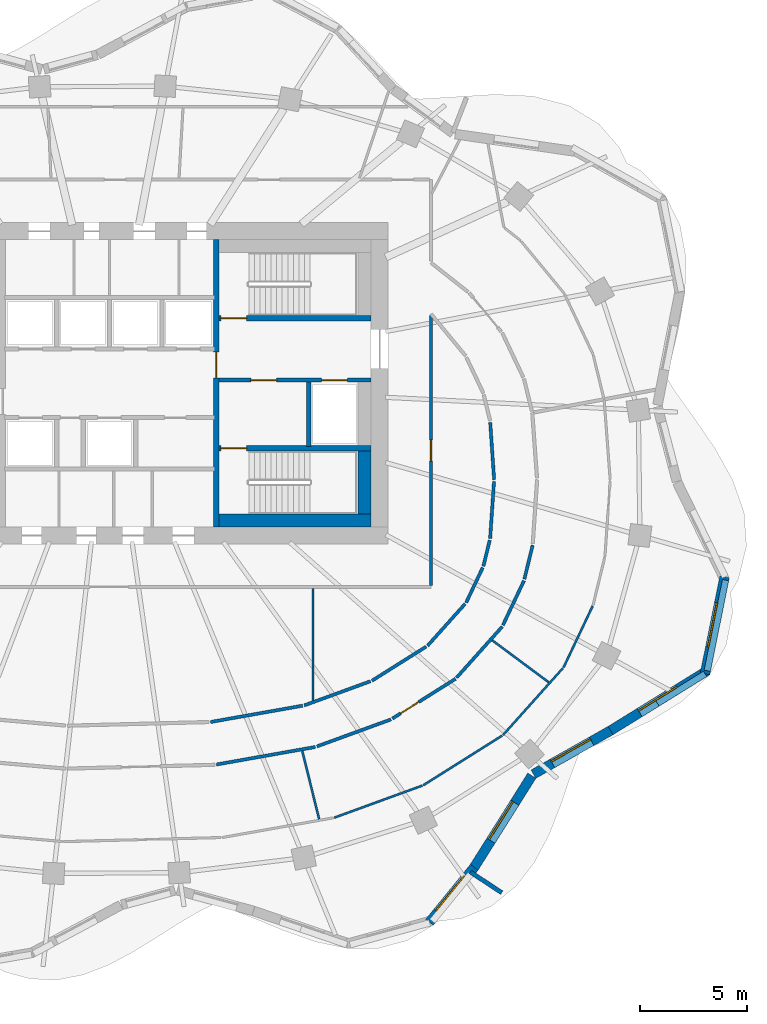
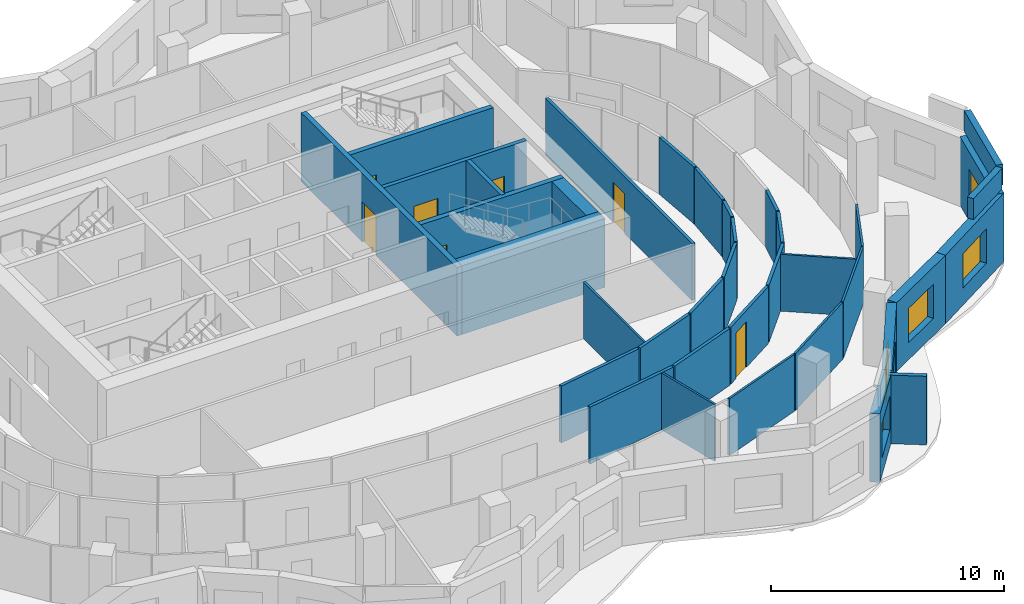
# One storey, part 6 of 10: 37 walls, 7 doors, 5 windows, 12 openings.
"""IFC4 building model written with IfcOpenShell, lengths in metres."""

import ifcopenshell
import ifcopenshell.guid

model = None  # the IFC model being written
_history = None  # IfcOwnerHistory: only IFC2X3 demands one
_inside = {}  # id of a spatial element -> (the spatial element, [elements in it])
_under = {}  # id of a project, library or spatial element -> (it, [spatial elements below it])
_declared = {}  # id of a project -> (the project, [libraries it declares])
_typed = {}  # id of a type object -> (the type object, [elements of that type])
_made_of = {}  # id of a material, layer set ... -> (it, [elements and type objects made of it])


def new_model(schema):
    """Start an empty IFC model of exactly this schema.

    Asked for "IFC4X3", IfcOpenShell would pick the latest addendum, in which some entities
    have other attributes; the version numbers below select the first issue.
    IFC2X3 requires an IfcOwnerHistory on every rooted entity: one is made here for all.
    """
    global model, _history
    if schema == "IFC4X3":
        model = ifcopenshell.file(schema_version=(4, 3, 0, 0))
    else:
        model = ifcopenshell.file(schema=schema)
    _inside.clear()
    _under.clear()
    _declared.clear()
    _typed.clear()
    _made_of.clear()
    _history = None
    if model.schema == "IFC2X3":
        org = make("IfcOrganization", Name="unknown")
        user = make(
            "IfcPersonAndOrganization",
            ThePerson=make("IfcPerson", FamilyName="unknown"),
            TheOrganization=org,
        )
        app = make(
            "IfcApplication",
            ApplicationDeveloper=org,
            Version="unknown",
            ApplicationFullName="unknown",
            ApplicationIdentifier="unknown",
        )
        _history = make(
            "IfcOwnerHistory",
            OwningUser=user,
            OwningApplication=app,
            ChangeAction="ADDED",
            CreationDate=0,
        )
    return model


def make(cls, **values):
    """One entity of the class cls with the attributes given. An attribute that is None is left unset."""
    return model.create_entity(
        cls, **{name: value for name, value in values.items() if value is not None}
    )


def rooted(cls, **values):
    """An entity with a GlobalId (a new one), such as an element, a storey or a relation."""
    return make(cls, GlobalId=ifcopenshell.guid.new(), OwnerHistory=_history, **values)


def si_unit(unit_type, name, prefix=None):
    """IfcSIUnit, for example si_unit("LENGTHUNIT", "METRE", prefix="MILLI")."""
    return make("IfcSIUnit", UnitType=unit_type, Prefix=prefix, Name=name)


def assignment(units):
    """IfcUnitAssignment: the units of a project."""
    return None if units is None else make("IfcUnitAssignment", Units=units)


def point(xyz):
    """IfcCartesianPoint."""
    return None if xyz is None else make("IfcCartesianPoint", Coordinates=xyz)


def direction(xyz):
    """IfcDirection."""
    return None if xyz is None else make("IfcDirection", DirectionRatios=xyz)


def frame(location, z_axis=None, x_axis=None):
    """IfcAxis2Placement3D, a coordinate frame: its origin and axes. An axis left out is left unset."""
    return make(
        "IfcAxis2Placement3D",
        Location=point(location),
        Axis=direction(z_axis),
        RefDirection=direction(x_axis),
    )


def frame_2d(location, x_axis=None):
    """IfcAxis2Placement2D, a coordinate frame in the plane: its origin and x axis."""
    return make(
        "IfcAxis2Placement2D", Location=point(location), RefDirection=direction(x_axis)
    )


def origin():
    """The frame at (0, 0, 0) with its axes left unset."""
    return frame((0.0, 0.0, 0.0))


def place(relative_to, where):
    """IfcLocalPlacement: puts the frame where relative to a parent placement (None: the world)."""
    return make(
        "IfcLocalPlacement", PlacementRelTo=relative_to, RelativePlacement=where
    )


def context(
    kind, dimensions, precision=None, world=None, true_north=None, identifier=None
):
    """IfcGeometricRepresentationContext, for example the 3D "Model" context."""
    return make(
        "IfcGeometricRepresentationContext",
        ContextIdentifier=identifier,
        ContextType=kind,
        CoordinateSpaceDimension=dimensions,
        Precision=precision,
        WorldCoordinateSystem=world,
        TrueNorth=true_north,
    )


def subcontext(parent, identifier, kind, view, scale=None):
    """IfcGeometricRepresentationSubContext, for example "Body" below "Model"."""
    return make(
        "IfcGeometricRepresentationSubContext",
        ContextIdentifier=identifier,
        ContextType=kind,
        ParentContext=parent,
        TargetScale=scale,
        TargetView=view,
    )


def project(units=None, contexts=None):
    """IfcProject with its units and contexts."""
    return rooted(
        "IfcProject",
        Name="project",
        RepresentationContexts=contexts,
        UnitsInContext=assignment(units),
    )


def spatial(cls, under=None, at=None, **own):
    """A site, building, storey or space (cls), placed at a placement, below another one or the project."""
    s = rooted(cls, ObjectPlacement=at, **own)
    if under is not None:
        _under.setdefault(under.id(), (under, []))[1].append(s)
    return s


def profile(cls, at=None, kind="AREA", **sizes):
    """A parametric profile (cls). Its sizes go by their IFC names, for example OverallWidth=200.0."""
    return make(cls, ProfileType=kind, Position=at, **sizes)


def rectangle(**sizes):
    """IfcRectangleProfileDef."""
    return profile("IfcRectangleProfileDef", **sizes)


def extrude(swept, where, along, depth):
    """IfcExtrudedAreaSolid: the profile swept, set in the frame where, extruded along a direction by depth."""
    return make(
        "IfcExtrudedAreaSolid",
        SweptArea=swept,
        Position=where,
        ExtrudedDirection=direction(along),
        Depth=depth,
    )


def shape(context_of_items, identifier, shape_type, items):
    """IfcShapeRepresentation: the items that make up one representation, for example the "Body"."""
    return make(
        "IfcShapeRepresentation",
        ContextOfItems=context_of_items,
        RepresentationIdentifier=identifier,
        RepresentationType=shape_type,
        Items=items,
    )


def material(Name=None, Category=None):
    """IfcMaterial."""
    return make("IfcMaterial", Name=Name, Category=Category)


def layer(
    of_material, thickness, ventilated=None, Name=None, Category=None, Priority=None
):
    """IfcMaterialLayer: one layer of a wall or slab, of a material (None: an air gap)."""
    return make(
        "IfcMaterialLayer",
        Material=of_material,
        LayerThickness=thickness,
        IsVentilated=ventilated,
        Name=Name,
        Category=Category,
        Priority=Priority,
    )


def layer_set(layers, Name=None):
    """IfcMaterialLayerSet."""
    return make("IfcMaterialLayerSet", MaterialLayers=layers, LayerSetName=Name)


def made_of(thing, what):
    """Note that an element or type object is made of a material, layer set ...; save() writes the relation."""
    if what is not None:
        _made_of.setdefault(what.id(), (what, []))[1].append(thing)
    return thing


def type_object(cls, material=None, **own):
    """A type object (cls), such as IfcWallType, which elements share."""
    return made_of(rooted(cls, **own), material)


def element(
    cls,
    number,
    at=None,
    inside=None,
    cuts=None,
    type_object=None,
    material=None,
    context=None,
    identifier="Body",
    shape_type=None,
    held_by="IfcProductDefinitionShape",
    body=None,
    shapes=None,
    **own,
):
    """One element of the class cls, such as IfcWall. Its Tag is "e" and its number.

    at: its placement. inside: the storey or other place that contains it. cuts: it is an
    opening in that element (IfcRelVoidsElement). A single representation is given by context,
    identifier, shape_type and body (its items); several are given by shapes. held_by: the class
    of the entity that holds the representations. save() writes the other relations.
    """
    e = rooted(cls, Tag="e%d" % number, ObjectPlacement=at, **own)
    if body is not None:
        shapes = [shape(context, identifier, shape_type, body)]
    if shapes is not None:
        e.Representation = make(held_by, Representations=shapes)
    if inside is not None:
        _inside.setdefault(inside.id(), (inside, []))[1].append(e)
    if cuts is not None:
        rooted(
            "IfcRelVoidsElement", RelatingBuildingElement=cuts, RelatedOpeningElement=e
        )
    if type_object is not None:
        _typed.setdefault(type_object.id(), (type_object, []))[1].append(e)
    return made_of(e, material)


def fill(opening, filler):
    """IfcRelFillsElement: the door or window that sits in an opening."""
    return rooted(
        "IfcRelFillsElement",
        RelatingOpeningElement=opening,
        RelatedBuildingElement=filler,
    )


def aggregate(whole, parts):
    """IfcRelAggregates: a whole, such as a stair, and the parts it consists of."""
    return rooted("IfcRelAggregates", RelatingObject=whole, RelatedObjects=parts)


def save(model, path):
    """Write the relations noted so far, then the file.

    IfcRelAggregates (storeys below a building ...), IfcRelContainedInSpatialStructure (elements
    in a storey), IfcRelDefinesByType, IfcRelAssociatesMaterial and IfcRelDeclares: one each for
    every whole, place, type object, material and project.
    """
    for whole, parts in _under.values():
        aggregate(whole, parts)
    for where, things in _inside.values():
        rooted(
            "IfcRelContainedInSpatialStructure",
            RelatedElements=things,
            RelatingStructure=where,
        )
    for kind, things in _typed.values():
        rooted("IfcRelDefinesByType", RelatedObjects=things, RelatingType=kind)
    for what, things in _made_of.values():
        rooted("IfcRelAssociatesMaterial", RelatedObjects=things, RelatingMaterial=what)
    for by, libraries in _declared.values():
        rooted("IfcRelDeclares", RelatingContext=by, RelatedDefinitions=libraries)
    model.write(path)


model = new_model("IFC4")

# Units and contexts
model_context = context("Model", 3, precision=1e-05, world=origin(), true_north=direction((0.0, 1.0)))
body_context = subcontext(model_context, "Body", "Model", "MODEL_VIEW")
ifc_project = project(units=[si_unit("LENGTHUNIT", "METRE"), si_unit("AREAUNIT", "SQUARE_METRE"), si_unit("VOLUMEUNIT", "CUBIC_METRE"), si_unit("PLANEANGLEUNIT", "RADIAN"), si_unit("MASSUNIT", "GRAM", prefix="KILO")], contexts=[model_context])

# Site, building, storey
site_placement = place(None, origin())
site = spatial("IfcSite", under=ifc_project, at=site_placement, CompositionType="ELEMENT")
building_placement = place(site_placement, origin())
building = spatial("IfcBuilding", under=site, at=building_placement, Name="Rubra Terraces Tower", CompositionType="ELEMENT")
storey_placement = place(building_placement, frame((0.0, 0.0, 213.0)))
storey = spatial("IfcBuildingStorey", under=building, at=storey_placement, Name="L52", CompositionType="ELEMENT", Elevation=213.0)

# Wall, opening, window
ifc_material_1 = material(Name="Brick masonry red-brown", Category="masonry")
ifc_layer_1 = layer(ifc_material_1, 0.449951171875)
ifc_layer_set_1 = layer_set([ifc_layer_1], Name="Brick masonry red-brown")
wall_type_1 = type_object("IfcWallType", Name="Brick facade wall 450", PredefinedType="SOLIDWALL", material=ifc_layer_set_1)
wall_1_placement = place(storey_placement, frame((14.925537109375, -20.640869140625, 0.0), z_axis=(0.0, 0.0, 1.0), x_axis=(0.631548074669, 0.775336720001, 0.0)))
wall_1 = element("IfcWall", 1, at=wall_1_placement, inside=storey, type_object=wall_type_1, Name="Facade wall L52 bay 35", PredefinedType="SOLIDWALL", context=body_context, shape_type="SweptSolid", body=[
    extrude(rectangle(XDim=3.3076171875, YDim=0.449951171875, at=frame_2d((1.65380859375, 0.0))), origin(), (0.0, 0.0, 1.0), 3.60009765625),
])
opening_1_placement = place(wall_1_placement, frame((0.603759765625, 0.0, 0.89990234375)))
opening_1 = element("IfcOpeningElement", 2, at=opening_1_placement, cuts=wall_1, Name="Opening W1Z", PredefinedType="OPENING", context=body_context, shape_type="SweptSolid", body=[
    extrude(rectangle(XDim=2.10009765625, YDim=1.800048828125, at=frame_2d((1.050048828125, 0.89990234375))), frame((0.0, 0.23486328125, 0.0), z_axis=(0.0, -1.0, 0.0), x_axis=(1.0, 0.0, 0.0)), (0.0, 0.0, 1.0), 0.469970703125),
])
ifc_material_2 = material(Name="Clear glass in aluminium frame", Category="aluminium")
window_type = type_object("IfcWindowType", Name="Fixed deep-set window under transfer level 2100 x 1800", PartitioningType="SINGLE_PANEL", PredefinedType="WINDOW", material=ifc_material_2)
window_1_placement = place(opening_1_placement, origin())
window_1 = element("IfcWindow", 3, at=window_1_placement, inside=storey, type_object=window_type, Name="Window L52 bay 35", OverallHeight=1.800048828125, OverallWidth=2.10009765625, PartitioningType="SINGLE_PANEL", PredefinedType="WINDOW", context=body_context, shape_type="SweptSolid", body=[
    extrude(rectangle(XDim=2.10009765625, YDim=1.800048828125, at=frame_2d((1.050048828125, 0.89990234375))), frame((0.0, 0.135009765625, 0.0), z_axis=(0.0, -1.0, 0.0), x_axis=(1.0, 0.0, 0.0)), (0.0, 0.0, 1.0), 0.06005859375),
])
fill(opening_1, window_1)

wall_2_placement = place(storey_placement, frame((16.998291015625, -18.0986328125, 0.0), z_axis=(0.0, 0.0, 1.0), x_axis=(0.532745661304, 0.846275404559, 0.0)))
wall_2 = element("IfcWall", 4, at=wall_2_placement, inside=storey, type_object=wall_type_1, Name="Facade wall L52 bay 36", PredefinedType="SOLIDWALL", context=body_context, shape_type="SweptSolid", body=[
    extrude(rectangle(XDim=5.076171875, YDim=0.449951171875, at=frame_2d((2.5380859375, 0.0))), origin(), (0.0, 0.0, 1.0), 3.60009765625),
])
opening_2_placement = place(wall_2_placement, frame((1.488037109375, 0.0, 0.89990234375)))
opening_2 = element("IfcOpeningElement", 5, at=opening_2_placement, cuts=wall_2, Name="Opening W1Z", PredefinedType="OPENING", context=body_context, shape_type="SweptSolid", body=[
    extrude(rectangle(XDim=2.10009765625, YDim=1.800048828125, at=frame_2d((1.050048828125, 0.89990234375))), frame((0.0, 0.23486328125, 0.0), z_axis=(0.0, -1.0, 0.0), x_axis=(1.0, 0.0, 0.0)), (0.0, 0.0, 1.0), 0.469970703125),
])
window_2_placement = place(opening_2_placement, origin())
window_2 = element("IfcWindow", 6, at=window_2_placement, inside=storey, type_object=window_type, Name="Window L52 bay 36", OverallHeight=1.800048828125, OverallWidth=2.10009765625, PartitioningType="SINGLE_PANEL", PredefinedType="WINDOW", context=body_context, shape_type="SweptSolid", body=[
    extrude(rectangle(XDim=2.10009765625, YDim=1.800048828125, at=frame_2d((1.050048828125, 0.89990234375))), frame((0.0, 0.135009765625, 0.0), z_axis=(0.0, -1.0, 0.0), x_axis=(1.0, 0.0, 0.0)), (0.0, 0.0, 1.0), 0.06005859375),
])
fill(opening_2, window_2)

wall_3_placement = place(storey_placement, frame((19.77587890625, -13.730712890625, 0.0), z_axis=(0.0, 0.0, 1.0), x_axis=(0.870610133829, 0.491973571318, 0.0)))
wall_3 = element("IfcWall", 7, at=wall_3_placement, inside=storey, type_object=wall_type_1, Name="Facade wall L52 bay 37", PredefinedType="SOLIDWALL", context=body_context, shape_type="SweptSolid", body=[
    extrude(rectangle(XDim=4.1337890625, YDim=0.449951171875, at=frame_2d((2.06689453125, 0.0))), origin(), (0.0, 0.0, 1.0), 3.60009765625),
])
opening_3_placement = place(wall_3_placement, frame((1.016845703125, 0.0, 0.89990234375)))
opening_3 = element("IfcOpeningElement", 8, at=opening_3_placement, cuts=wall_3, Name="Opening W1Z", PredefinedType="OPENING", context=body_context, shape_type="SweptSolid", body=[
    extrude(rectangle(XDim=2.10009765625, YDim=1.800048828125, at=frame_2d((1.050048828125, 0.89990234375))), frame((0.0, 0.23486328125, 0.0), z_axis=(0.0, -1.0, 0.0), x_axis=(1.0, 0.0, 0.0)), (0.0, 0.0, 1.0), 0.469970703125),
])
window_3_placement = place(opening_3_placement, origin())
window_3 = element("IfcWindow", 9, at=window_3_placement, inside=storey, type_object=window_type, Name="Window L52 bay 37", OverallHeight=1.800048828125, OverallWidth=2.10009765625, PartitioningType="SINGLE_PANEL", PredefinedType="WINDOW", context=body_context, shape_type="SweptSolid", body=[
    extrude(rectangle(XDim=2.10009765625, YDim=1.800048828125, at=frame_2d((1.050048828125, 0.89990234375))), frame((0.0, 0.135009765625, 0.0), z_axis=(0.0, -1.0, 0.0), x_axis=(1.0, 0.0, 0.0)), (0.0, 0.0, 1.0), 0.06005859375),
])
fill(opening_3, window_3)

wall_4_placement = place(storey_placement, frame((23.368408203125, -11.700927734375, 0.0), z_axis=(0.0, 0.0, 1.0), x_axis=(0.850251408633, 0.526376806211, 0.0)))
wall_4 = element("IfcWall", 10, at=wall_4_placement, inside=storey, type_object=wall_type_1, Name="Facade wall L52 bay 38", PredefinedType="SOLIDWALL", context=body_context, shape_type="SweptSolid", body=[
    extrude(rectangle(XDim=5.30224609375, YDim=0.449951171875, at=frame_2d((2.651123046875, 0.0))), origin(), (0.0, 0.0, 1.0), 3.60009765625),
])
opening_4_placement = place(wall_4_placement, frame((1.601318359375, 0.0, 0.89990234375)))
opening_4 = element("IfcOpeningElement", 11, at=opening_4_placement, cuts=wall_4, Name="Opening W1Z", PredefinedType="OPENING", context=body_context, shape_type="SweptSolid", body=[
    extrude(rectangle(XDim=2.10009765625, YDim=1.800048828125, at=frame_2d((1.050048828125, 0.89990234375))), frame((0.0, 0.23486328125, 0.0), z_axis=(0.0, -1.0, 0.0), x_axis=(1.0, 0.0, 0.0)), (0.0, 0.0, 1.0), 0.469970703125),
])
window_4_placement = place(opening_4_placement, origin())
window_4 = element("IfcWindow", 12, at=window_4_placement, inside=storey, type_object=window_type, Name="Window L52 bay 38", OverallHeight=1.800048828125, OverallWidth=2.10009765625, PartitioningType="SINGLE_PANEL", PredefinedType="WINDOW", context=body_context, shape_type="SweptSolid", body=[
    extrude(rectangle(XDim=2.10009765625, YDim=1.800048828125, at=frame_2d((1.050048828125, 0.89990234375))), frame((0.0, 0.135009765625, 0.0), z_axis=(0.0, -1.0, 0.0), x_axis=(1.0, 0.0, 0.0)), (0.0, 0.0, 1.0), 0.06005859375),
])
fill(opening_4, window_4)

wall_5_placement = place(storey_placement, frame((27.779541015625, -9.053466796875, 0.0), z_axis=(0.0, 0.0, 1.0), x_axis=(0.197796229105, 0.980243159503, 0.0)))
wall_5 = element("IfcWall", 13, at=wall_5_placement, inside=storey, type_object=wall_type_1, Name="Facade wall L52 bay 39", PredefinedType="SOLIDWALL", context=body_context, shape_type="SweptSolid", body=[
    extrude(rectangle(XDim=4.610107421875, YDim=0.449951171875, at=frame_2d((2.30517578125, 0.0))), origin(), (0.0, 0.0, 1.0), 3.60009765625),
])
opening_5_placement = place(wall_5_placement, frame((1.255126953125, 0.0, 0.89990234375)))
opening_5 = element("IfcOpeningElement", 14, at=opening_5_placement, cuts=wall_5, Name="Opening W1Z", PredefinedType="OPENING", context=body_context, shape_type="SweptSolid", body=[
    extrude(rectangle(XDim=2.10009765625, YDim=1.800048828125, at=frame_2d((1.050048828125, 0.89990234375))), frame((0.0, 0.23486328125, 0.0), z_axis=(0.0, -1.0, 0.0), x_axis=(1.0, 0.0, 0.0)), (0.0, 0.0, 1.0), 0.469970703125),
])
window_5_placement = place(opening_5_placement, origin())
window_5 = element("IfcWindow", 15, at=window_5_placement, inside=storey, type_object=window_type, Name="Window L52 bay 39", OverallHeight=1.800048828125, OverallWidth=2.10009765625, PartitioningType="SINGLE_PANEL", PredefinedType="WINDOW", context=body_context, shape_type="SweptSolid", body=[
    extrude(rectangle(XDim=2.10009765625, YDim=1.800048828125, at=frame_2d((1.050048828125, 0.89990234375))), frame((0.0, 0.135009765625, 0.0), z_axis=(0.0, -1.0, 0.0), x_axis=(1.0, 0.0, 0.0)), (0.0, 0.0, 1.0), 0.06005859375),
])
fill(opening_5, window_5)

# Walls
ifc_layer_2 = layer(ifc_material_1, 0.300048828125)
ifc_layer_set_2 = layer_set([ifc_layer_2], Name="Brick masonry red-brown")
wall_type_2 = type_object("IfcWallType", Name="Brick parapet 300", PredefinedType="PARAPET", material=ifc_layer_set_2)
wall_6_placement = place(storey_placement, frame((25.561279296875, -10.431396484375, 3.89990234375), z_axis=(0.0, 0.0, 1.0), x_axis=(0.85026116811, 0.526361041495, 0.0)))
element("IfcWall", 16, at=wall_6_placement, inside=storey, type_object=wall_type_2, Name="Parapet L52 bay 38", PredefinedType="PARAPET", context=body_context, shape_type="SweptSolid", body=[
    extrude(rectangle(XDim=2.615478515625, YDim=0.300048828125, at=frame_2d((1.3076171875, 0.0))), origin(), (0.0, 0.0, 1.0), 1.10009765625),
])
wall_7_placement = place(storey_placement, frame((27.884521484375, -8.91162109375, 3.89990234375), z_axis=(0.0, 0.0, 1.0), x_axis=(0.197855213088, 0.980231255701, 0.0)))
element("IfcWall", 17, at=wall_7_placement, inside=storey, type_object=wall_type_2, Name="Parapet L52 bay 39", PredefinedType="PARAPET", context=body_context, shape_type="SweptSolid", body=[
    extrude(rectangle(XDim=4.31884765625, YDim=0.300048828125, at=frame_2d((2.159423828125, 0.0))), origin(), (0.0, 0.0, 1.0), 1.10009765625),
])
ifc_layer_3 = layer(ifc_material_1, 0.199951171875)
ifc_layer_set_3 = layer_set([ifc_layer_3], Name="Brick masonry red-brown")
wall_type_3 = type_object("IfcWallType", Name="Brick wind fin 200", PredefinedType="SOLIDWALL", material=ifc_layer_set_3)
wall_8_placement = place(storey_placement, frame((16.837890625, -18.298095703125, 0.0), z_axis=(0.0, 0.0, 1.0), x_axis=(0.835871900419, -0.548924554097, 0.0)))
element("IfcWall", 18, at=wall_8_placement, inside=storey, type_object=wall_type_3, Name="Wind fin L52 21", PredefinedType="SOLIDWALL", context=body_context, shape_type="SweptSolid", body=[
    extrude(rectangle(XDim=1.750244140625, YDim=0.199951171875, at=frame_2d((0.875, 0.0))), origin(), (0.0, 0.0, 1.0), 3.60009765625),
])
ifc_material_3 = material(Name="Plasterboard on steel stud, mineral wool infill", Category="steel")
ifc_layer_4 = layer(ifc_material_3, 0.14990234375)
ifc_layer_set_4 = layer_set([ifc_layer_4], Name="Plasterboard on steel stud, mineral wool infill")
wall_type_4 = type_object("IfcWallType", Name="CORRIDOR PARTITION 150", PredefinedType="PARTITIONING", material=ifc_layer_set_4)
wall_9_placement = place(storey_placement, frame((4.994873046875, -13.28125, 0.0), z_axis=(0.0, 0.0, 1.0), x_axis=(0.98463411377, 0.174630071865, 0.0)))
element("IfcWall", 19, at=wall_9_placement, inside=storey, type_object=wall_type_4, Name="PARTITION", PredefinedType="PARTITIONING", context=body_context, shape_type="SweptSolid", body=[
    extrude(rectangle(XDim=4.68212890625, YDim=0.14990234375, at=frame_2d((2.341064453125, 0.0))), origin(), (0.0, 0.0, 1.0), 2.98388671875),
])
wall_10_placement = place(storey_placement, frame((9.675537109375, -12.43798828125, 0.0), z_axis=(0.0, 0.0, 1.0), x_axis=(0.939640289748, 0.342163887461, 0.0)))
element("IfcWall", 20, at=wall_10_placement, inside=storey, type_object=wall_type_4, Name="PARTITION", PredefinedType="PARTITIONING", context=body_context, shape_type="SweptSolid", body=[
    extrude(rectangle(XDim=3.6796875, YDim=0.14990234375, at=frame_2d((1.83984375, 0.0))), origin(), (0.0, 0.0, 1.0), 2.98388671875),
])

# Wall, opening, door
wall_11_placement = place(storey_placement, frame((13.196533203125, -11.138916015625, 0.0), z_axis=(0.0, 0.0, 1.0), x_axis=(0.846390903833, 0.532562144644, 0.0)))
wall_11 = element("IfcWall", 21, at=wall_11_placement, inside=storey, type_object=wall_type_4, Name="PARTITION", PredefinedType="PARTITIONING", context=body_context, shape_type="SweptSolid", body=[
    extrude(rectangle(XDim=3.481201171875, YDim=0.14990234375, at=frame_2d((1.74072265625, 0.0))), origin(), (0.0, 0.0, 1.0), 2.98388671875),
])
opening_6_placement = place(wall_11_placement, frame((0.449951171875, 0.0, 0.0)))
opening_6 = element("IfcOpeningElement", 22, at=opening_6_placement, cuts=wall_11, Name="Opening 52-108", PredefinedType="OPENING", context=body_context, shape_type="SweptSolid", body=[
    extrude(rectangle(XDim=1.0, YDim=2.39990234375, at=frame_2d((0.5, 1.199951171875))), frame((0.0, 0.0849609375, 0.0), z_axis=(0.0, -1.0, 0.0), x_axis=(1.0, 0.0, 0.0)), (0.0, 0.0, 1.0), 0.169921875),
])
ifc_material_4 = material(Name="Glazed aluminium meeting door leaf", Category="aluminium")
door_type_1 = type_object("IfcDoorType", Name="MEETING ROOM GLAZED DOOR 1000 X 2400", OperationType="SINGLE_SWING_LEFT", PredefinedType="DOOR", material=ifc_material_4)
door_1_placement = place(opening_6_placement, origin())
door_1 = element("IfcDoor", 23, at=door_1_placement, inside=storey, type_object=door_type_1, Name="DOOR 52-108", OperationType="SINGLE_SWING_RIGHT", OverallHeight=2.39990234375, OverallWidth=1.0, PredefinedType="DOOR", context=body_context, shape_type="SweptSolid", body=[
    extrude(rectangle(XDim=1.0, YDim=2.39990234375, at=frame_2d((0.5, 1.199951171875))), frame((0.0, 0.02490234375, 0.0), z_axis=(0.0, -1.0, 0.0), x_axis=(1.0, 0.0, 0.0)), (0.0, 0.0, 1.0), 0.050048828125),
])
fill(opening_6, door_1)

# Walls
wall_12_placement = place(storey_placement, frame((16.193115234375, -9.22900390625, 0.0), z_axis=(0.0, 0.0, 1.0), x_axis=(0.666882089048, 0.745163256815, 0.0)))
element("IfcWall", 24, at=wall_12_placement, inside=storey, type_object=wall_type_4, Name="PARTITION", PredefinedType="PARTITIONING", context=body_context, shape_type="SweptSolid", body=[
    extrude(rectangle(XDim=3.1904296875, YDim=0.14990234375, at=frame_2d((1.59521484375, 0.0))), origin(), (0.0, 0.0, 1.0), 2.98388671875),
])
wall_13_placement = place(storey_placement, frame((18.35302734375, -6.78369140625, 0.0), z_axis=(0.0, 0.0, 1.0), x_axis=(0.428086344739, 0.903737838894, 0.0)))
element("IfcWall", 25, at=wall_13_placement, inside=storey, type_object=wall_type_4, Name="PARTITION", PredefinedType="PARTITIONING", context=body_context, shape_type="SweptSolid", body=[
    extrude(rectangle(XDim=2.299560546875, YDim=0.14990234375, at=frame_2d((1.14990234375, 0.0))), origin(), (0.0, 0.0, 1.0), 2.98388671875),
])
wall_14_placement = place(storey_placement, frame((19.355224609375, -4.6328125, 0.0), z_axis=(0.0, 0.0, 1.0), x_axis=(0.236703930685, 0.971581828359, 0.0)))
element("IfcWall", 26, at=wall_14_placement, inside=storey, type_object=wall_type_4, Name="PARTITION", PredefinedType="PARTITIONING", context=body_context, shape_type="SweptSolid", body=[
    extrude(rectangle(XDim=1.62646484375, YDim=0.14990234375, at=frame_2d((0.813232421875, 0.0))), origin(), (0.0, 0.0, 1.0), 2.98388671875),
])
wall_15_placement = place(storey_placement, frame((17.76171875, 2.67041015625, 0.0), z_axis=(0.0, 0.0, 1.0), x_axis=(0.068135311644, -0.997676089373, 0.0)))
element("IfcWall", 27, at=wall_15_placement, inside=storey, type_object=wall_type_4, Name="PARTITION", PredefinedType="PARTITIONING", context=body_context, shape_type="SweptSolid", body=[
    extrude(rectangle(XDim=2.676513671875, YDim=0.14990234375, at=frame_2d((1.33837890625, 0.0))), origin(), (0.0, 0.0, 1.0), 2.98388671875),
])
wall_16_placement = place(storey_placement, frame((17.939208984375, -0.07470703125, 0.0), z_axis=(0.0, 0.0, 1.0), x_axis=(-0.068226099283, -0.99766988497, 0.0)))
element("IfcWall", 28, at=wall_16_placement, inside=storey, type_object=wall_type_4, Name="PARTITION", PredefinedType="PARTITIONING", context=body_context, shape_type="SweptSolid", body=[
    extrude(rectangle(XDim=2.6767578125, YDim=0.14990234375, at=frame_2d((1.33837890625, 0.0))), origin(), (0.0, 0.0, 1.0), 2.98388671875),
])
wall_17_placement = place(storey_placement, frame((17.739013671875, -2.818115234375, 0.0), z_axis=(0.0, 0.0, 1.0), x_axis=(-0.236884307907, -0.971537865792, 0.0)))
element("IfcWall", 29, at=wall_17_placement, inside=storey, type_object=wall_type_4, Name="PARTITION", PredefinedType="PARTITIONING", context=body_context, shape_type="SweptSolid", body=[
    extrude(rectangle(XDim=1.251220703125, YDim=0.14990234375, at=frame_2d((0.62548828125, 0.0))), origin(), (0.0, 0.0, 1.0), 2.98388671875),
])
wall_18_placement = place(storey_placement, frame((17.410400390625, -4.1015625, 0.0), z_axis=(0.0, 0.0, 1.0), x_axis=(-0.428074720318, -0.903743345107, 0.0)))
element("IfcWall", 30, at=wall_18_placement, inside=storey, type_object=wall_type_4, Name="PARTITION", PredefinedType="PARTITIONING", context=body_context, shape_type="SweptSolid", body=[
    extrude(rectangle(XDim=1.8056640625, YDim=0.14990234375, at=frame_2d((0.90283203125, 0.0))), origin(), (0.0, 0.0, 1.0), 2.98388671875),
])
wall_19_placement = place(storey_placement, frame((16.58740234375, -5.789306640625, 0.0), z_axis=(0.0, 0.0, 1.0), x_axis=(-0.666887460656, -0.745158449472, 0.0)))
element("IfcWall", 31, at=wall_19_placement, inside=storey, type_object=wall_type_4, Name="PARTITION", PredefinedType="PARTITIONING", context=body_context, shape_type="SweptSolid", body=[
    extrude(rectangle(XDim=2.6201171875, YDim=0.14990234375, at=frame_2d((1.31005859375, 0.0))), origin(), (0.0, 0.0, 1.0), 2.98388671875),
])
wall_20_placement = place(storey_placement, frame((14.776611328125, -7.781494140625, 0.0), z_axis=(0.0, 0.0, 1.0), x_axis=(-0.846359741043, -0.532611667862, 0.0)))
element("IfcWall", 32, at=wall_20_placement, inside=storey, type_object=wall_type_4, Name="PARTITION", PredefinedType="PARTITIONING", context=body_context, shape_type="SweptSolid", body=[
    extrude(rectangle(XDim=2.9873046875, YDim=0.14990234375, at=frame_2d((1.49365234375, 0.0))), origin(), (0.0, 0.0, 1.0), 2.98388671875),
])
wall_21_placement = place(storey_placement, frame((12.177734375, -9.398193359375, 0.0), z_axis=(0.0, 0.0, 1.0), x_axis=(-0.939609240084, -0.342249143093, 0.0)))
element("IfcWall", 33, at=wall_21_placement, inside=storey, type_object=wall_type_4, Name="PARTITION", PredefinedType="PARTITIONING", context=body_context, shape_type="SweptSolid", body=[
    extrude(rectangle(XDim=3.2919921875, YDim=0.14990234375, at=frame_2d((1.64599609375, 0.0))), origin(), (0.0, 0.0, 1.0), 2.98388671875),
])
wall_22_placement = place(storey_placement, frame((9.010498046875, -10.5380859375, 0.0), z_axis=(0.0, 0.0, 1.0), x_axis=(-0.984645638575, -0.174565077936, 0.0)))
element("IfcWall", 34, at=wall_22_placement, inside=storey, type_object=wall_type_4, Name="PARTITION", PredefinedType="PARTITIONING", context=body_context, shape_type="SweptSolid", body=[
    extrude(rectangle(XDim=4.35791015625, YDim=0.14990234375, at=frame_2d((2.178955078125, 0.0))), origin(), (0.0, 0.0, 1.0), 2.98388671875),
])

# Wall, opening, door
wall_23_placement = place(storey_placement, frame((15.0, -4.925048828125, 0.0), z_axis=(0.0, 0.0, 1.0), x_axis=(0.0, 1.0, 0.0)))
wall_23 = element("IfcWall", 35, at=wall_23_placement, inside=storey, type_object=wall_type_4, Name="PARTITION", PredefinedType="PARTITIONING", context=body_context, shape_type="SweptSolid", body=[
    extrude(rectangle(XDim=12.5830078125, YDim=0.14990234375, at=frame_2d((6.29150390625, 0.0))), origin(), (0.0, 0.0, 1.0), 2.98388671875),
])
opening_7_placement = place(wall_23_placement, frame((5.791015625, 0.0, 0.0)))
opening_7 = element("IfcOpeningElement", 36, at=opening_7_placement, cuts=wall_23, Name="Opening 52-118", PredefinedType="OPENING", context=body_context, shape_type="SweptSolid", body=[
    extrude(rectangle(XDim=1.0, YDim=2.10009765625, at=frame_2d((0.5, 1.050048828125))), frame((0.0, 0.0849609375, 0.0), z_axis=(0.0, -1.0, 0.0), x_axis=(1.0, 0.0, 0.0)), (0.0, 0.0, 1.0), 0.169921875),
])
ifc_material_5 = material(Name="Painted timber door leaf", Category="wood")
door_type_2 = type_object("IfcDoorType", Name="ROOM DOOR 1000 X 2100", OperationType="SINGLE_SWING_LEFT", PredefinedType="DOOR", material=ifc_material_5)
door_2_placement = place(opening_7_placement, origin())
door_2 = element("IfcDoor", 37, at=door_2_placement, inside=storey, type_object=door_type_2, Name="DOOR 52-118", OperationType="SINGLE_SWING_RIGHT", OverallHeight=2.10009765625, OverallWidth=1.0, PredefinedType="DOOR", context=body_context, shape_type="SweptSolid", body=[
    extrude(rectangle(XDim=1.0, YDim=2.10009765625, at=frame_2d((0.5, 1.050048828125))), frame((0.0, 0.02490234375, 0.0), z_axis=(0.0, -1.0, 0.0), x_axis=(1.0, 0.0, 0.0)), (0.0, 0.0, 1.0), 0.050048828125),
])
fill(opening_7, door_2)

# Walls
ifc_material_6 = material(Name="Concrete C40", Category="concrete")
ifc_layer_5 = layer(ifc_material_6, 0.60009765625)
ifc_layer_set_5 = layer_set([ifc_layer_5], Name="Concrete C40")
wall_type_5 = type_object("IfcWallType", Name="Core lining wall 600 concrete", PredefinedType="SOLIDWALL", material=ifc_layer_set_5)
wall_24_placement = place(storey_placement, frame((11.89990234375, 1.35009765625, 0.0), z_axis=(0.0, 0.0, 1.0), x_axis=(0.0, -1.0, 0.0)))
element("IfcWall", 38, at=wall_24_placement, inside=storey, type_object=wall_type_5, Name="CORE LINING WALL L52", PredefinedType="SOLIDWALL", context=body_context, shape_type="SweptSolid", body=[
    extrude(rectangle(XDim=2.9501953125, YDim=0.60009765625, at=frame_2d((1.47509765625, 0.0))), origin(), (0.0, 0.0, 1.0), 3.60009765625),
])
wall_25_placement = place(storey_placement, frame((12.199951171875, -1.89990234375, 0.0), z_axis=(0.0, 0.0, 1.0), x_axis=(-1.0, 0.0, 0.0)))
element("IfcWall", 39, at=wall_25_placement, inside=storey, type_object=wall_type_5, Name="CORE LINING WALL L52", PredefinedType="SOLIDWALL", context=body_context, shape_type="SweptSolid", body=[
    extrude(rectangle(XDim=7.099853515625, YDim=0.60009765625, at=frame_2d((3.5498046875, 0.0))), origin(), (0.0, 0.0, 1.0), 3.60009765625),
])

# Wall, openings, doors
ifc_material_7 = material(Name="Concrete C30", Category="concrete")
ifc_layer_6 = layer(ifc_material_7, 0.199951171875)
ifc_layer_set_6 = layer_set([ifc_layer_6], Name="Concrete C30")
wall_type_6 = type_object("IfcWallType", Name="Core wall 200 concrete", PredefinedType="SOLIDWALL", material=ifc_layer_set_6)
wall_26_placement = place(storey_placement, frame((12.199951171875, 4.64990234375, 0.0), z_axis=(0.0, 0.0, 1.0), x_axis=(-1.0, 0.0, 0.0)))
wall_26 = element("IfcWall", 40, at=wall_26_placement, inside=storey, type_object=wall_type_6, Name="STAIR WALL L52", PredefinedType="SOLIDWALL", context=body_context, shape_type="SweptSolid", body=[
    extrude(rectangle(XDim=7.099853515625, YDim=0.199951171875, at=frame_2d((3.5498046875, 0.0))), origin(), (0.0, 0.0, 1.0), 3.60009765625),
])
opening_8_placement = place(wall_26_placement, frame((4.39990234375, 0.0, 0.0)))
opening_8 = element("IfcOpeningElement", 41, at=opening_8_placement, cuts=wall_26, Name="Opening L52.C06", PredefinedType="OPENING", context=body_context, shape_type="SweptSolid", body=[
    extrude(rectangle(XDim=1.199951171875, YDim=2.10009765625, at=frame_2d((0.60009765625, 1.050048828125))), frame((0.0, 0.10986328125, 0.0), z_axis=(0.0, -1.0, 0.0), x_axis=(1.0, 0.0, 0.0)), (0.0, 0.0, 1.0), 0.219970703125),
])
opening_9_placement = place(wall_26_placement, frame((1.10009765625, 0.0, 0.0)))
opening_9 = element("IfcOpeningElement", 42, at=opening_9_placement, cuts=wall_26, Name="Opening L52.C12", PredefinedType="OPENING", context=body_context, shape_type="SweptSolid", body=[
    extrude(rectangle(XDim=1.199951171875, YDim=2.10009765625, at=frame_2d((0.60009765625, 1.050048828125))), frame((0.0, 0.10986328125, 0.0), z_axis=(0.0, -1.0, 0.0), x_axis=(1.0, 0.0, 0.0)), (0.0, 0.0, 1.0), 0.219970703125),
])
ifc_material_8 = material(Name="Painted steel", Category="steel")
door_type_3 = type_object("IfcDoorType", Name="Fire door 1200x2100 single", OperationType="NOTDEFINED", PredefinedType="DOOR", material=ifc_material_8)
door_3_placement = place(opening_8_placement, origin())
door_3 = element("IfcDoor", 43, at=door_3_placement, inside=storey, type_object=door_type_3, Name="Stair vestibule door S4", OperationType="SINGLE_SWING_RIGHT", OverallHeight=2.10009765625, OverallWidth=1.199951171875, PredefinedType="DOOR", context=body_context, shape_type="SweptSolid", body=[
    extrude(rectangle(XDim=1.199951171875, YDim=2.10009765625, at=frame_2d((0.60009765625, 1.050048828125))), frame((0.0, 0.02490234375, 0.0), z_axis=(0.0, -1.0, 0.0), x_axis=(1.0, 0.0, 0.0)), (0.0, 0.0, 1.0), 0.050048828125),
])
fill(opening_8, door_3)
ifc_material_9 = material(Name="Stainless steel", Category="steel")
door_type_4 = type_object("IfcDoorType", Name="Lift landing door 1200x2100", OperationType="NOTDEFINED", PredefinedType="DOOR", material=ifc_material_9)
door_4_placement = place(opening_9_placement, origin())
door_4 = element("IfcDoor", 44, at=door_4_placement, inside=storey, type_object=door_type_4, Name="Landing door FF2", OperationType="SLIDING_TO_RIGHT", OverallHeight=2.10009765625, OverallWidth=1.199951171875, PredefinedType="DOOR", context=body_context, shape_type="SweptSolid", body=[
    extrude(rectangle(XDim=1.199951171875, YDim=2.10009765625, at=frame_2d((0.60009765625, 1.050048828125))), frame((0.0, 0.02490234375, 0.0), z_axis=(0.0, -1.0, 0.0), x_axis=(1.0, 0.0, 0.0)), (0.0, 0.0, 1.0), 0.050048828125),
])
fill(opening_9, door_4)

# Walls
wall_27_placement = place(storey_placement, frame((9.300048828125, 4.550048828125, 0.0), z_axis=(0.0, 0.0, 1.0), x_axis=(0.0, -1.0, 0.0)))
element("IfcWall", 45, at=wall_27_placement, inside=storey, type_object=wall_type_6, Name="STAIR WALL L52", PredefinedType="SOLIDWALL", context=body_context, shape_type="SweptSolid", body=[
    extrude(rectangle(XDim=3.0, YDim=0.199951171875, at=frame_2d((1.5, 0.0))), origin(), (0.0, 0.0, 1.0), 3.60009765625),
])
ifc_material_10 = material(Name="Plasterboard on steel stud", Category="steel")
ifc_layer_7 = layer(ifc_material_10, 0.10009765625)
ifc_layer_set_7 = layer_set([ifc_layer_7], Name="Plasterboard on steel stud")
wall_type_7 = type_object("IfcWallType", Name="ROOM PARTITION 100", PredefinedType="PARTITIONING", material=ifc_layer_set_7)
wall_28_placement = place(storey_placement, frame((22.537109375, -5.892822265625, 0.0), z_axis=(0.0, 0.0, 1.0), x_axis=(-0.428099612517, -0.903731554037, 0.0)))
element("IfcWall", 46, at=wall_28_placement, inside=storey, type_object=wall_type_7, Name="PARTITION", PredefinedType="PARTITIONING", context=body_context, shape_type="SweptSolid", body=[
    extrude(rectangle(XDim=3.1640625, YDim=0.10009765625, at=frame_2d((1.58203125, 0.0))), origin(), (0.0, 0.0, 1.0), 2.98388671875),
])
wall_29_placement = place(storey_placement, frame((21.1494140625, -8.789306640625, 0.0), z_axis=(0.0, 0.0, 1.0), x_axis=(-0.666915902537, -0.745132994132, 0.0)))
element("IfcWall", 47, at=wall_29_placement, inside=storey, type_object=wall_type_7, Name="PARTITION", PredefinedType="PARTITIONING", context=body_context, shape_type="SweptSolid", body=[
    extrude(rectangle(XDim=4.185791015625, YDim=0.10009765625, at=frame_2d((2.0927734375, 0.0))), origin(), (0.0, 0.0, 1.0), 2.98388671875),
])
wall_30_placement = place(storey_placement, frame((18.315673828125, -11.934814453125, 0.0), z_axis=(0.0, 0.0, 1.0), x_axis=(-0.84637539713, -0.532586788358, 0.0)))
element("IfcWall", 48, at=wall_30_placement, inside=storey, type_object=wall_type_7, Name="PARTITION", PredefinedType="PARTITIONING", context=body_context, shape_type="SweptSolid", body=[
    extrude(rectangle(XDim=4.34619140625, YDim=0.10009765625, at=frame_2d((2.173095703125, 0.0))), origin(), (0.0, 0.0, 1.0), 2.98388671875),
])
wall_31_placement = place(storey_placement, frame((14.590087890625, -14.2666015625, 0.0), z_axis=(0.0, 0.0, 1.0), x_axis=(-0.939623405418, -0.342210251148, 0.0)))
element("IfcWall", 49, at=wall_31_placement, inside=storey, type_object=wall_type_7, Name="PARTITION", PredefinedType="PARTITIONING", context=body_context, shape_type="SweptSolid", body=[
    extrude(rectangle(XDim=4.36328125, YDim=0.10009765625, at=frame_2d((2.181640625, 0.0))), origin(), (0.0, 0.0, 1.0), 2.98388671875),
])
wall_32_placement = place(storey_placement, frame((8.995361328125, -12.647705078125, 0.0), z_axis=(0.0, 0.0, 1.0), x_axis=(0.239839908092, -0.970812452787, 0.0)))
element("IfcWall", 50, at=wall_32_placement, inside=storey, type_object=wall_type_7, Name="PARTITION", PredefinedType="PARTITIONING", context=body_context, shape_type="SweptSolid", body=[
    extrude(rectangle(XDim=3.28271484375, YDim=0.10009765625, at=frame_2d((1.641357421875, 0.0))), origin(), (0.0, 0.0, 1.0), 2.98388671875),
])
wall_33_placement = place(storey_placement, frame((17.852783203125, -7.486572265625, 0.0), z_axis=(0.0, 0.0, 1.0), x_axis=(0.802681916891, -0.596407361034, 0.0)))
element("IfcWall", 51, at=wall_33_placement, inside=storey, type_object=wall_type_7, Name="PARTITION", PredefinedType="PARTITIONING", context=body_context, shape_type="SweptSolid", body=[
    extrude(rectangle(XDim=3.2890625, YDim=0.10009765625, at=frame_2d((1.64453125, 0.0))), origin(), (0.0, 0.0, 1.0), 2.98388671875),
])
wall_34_placement = place(storey_placement, frame((9.5, -10.298583984375, 0.0), z_axis=(0.0, 0.0, 1.0), x_axis=(0.0, 1.0, 0.0)))
element("IfcWall", 52, at=wall_34_placement, inside=storey, type_object=wall_type_7, Name="PARTITION", PredefinedType="PARTITIONING", context=body_context, shape_type="SweptSolid", body=[
    extrude(rectangle(XDim=5.2236328125, YDim=0.10009765625, at=frame_2d((2.61181640625, 0.0))), origin(), (0.0, 0.0, 1.0), 2.98388671875),
])

# Wall, opening, door
ifc_layer_8 = layer(ifc_material_6, 0.25)
ifc_layer_set_8 = layer_set([ifc_layer_8], Name="Concrete C40")
wall_type_8 = type_object("IfcWallType", Name="Stair enclosure wall 250 concrete", PredefinedType="SOLIDWALL", material=ifc_layer_set_8)
wall_35_placement = place(storey_placement, frame((12.199951171875, 7.52490234375, 0.0), z_axis=(0.0, 0.0, 1.0), x_axis=(-1.0, 0.0, 0.0)))
wall_35 = element("IfcWall", 53, at=wall_35_placement, inside=storey, type_object=wall_type_8, Name="STAIR WALL L52", PredefinedType="SOLIDWALL", context=body_context, shape_type="SweptSolid", body=[
    extrude(rectangle(XDim=7.099853515625, YDim=0.25, at=frame_2d((3.5498046875, 0.0))), origin(), (0.0, 0.0, 1.0), 3.60009765625),
])
opening_10_placement = place(wall_35_placement, frame((5.800048828125, 0.0, 0.0)))
opening_10 = element("IfcOpeningElement", 54, at=opening_10_placement, cuts=wall_35, Name="Opening L52.C08", PredefinedType="OPENING", context=body_context, shape_type="SweptSolid", body=[
    extrude(rectangle(XDim=1.199951171875, YDim=2.10009765625, at=frame_2d((0.60009765625, 1.050048828125))), frame((0.0, 0.135009765625, 0.0), z_axis=(0.0, -1.0, 0.0), x_axis=(1.0, 0.0, 0.0)), (0.0, 0.0, 1.0), 0.27001953125),
])
door_5_placement = place(opening_10_placement, origin())
door_5 = element("IfcDoor", 55, at=door_5_placement, inside=storey, type_object=door_type_3, Name="Stair door S3", OperationType="SINGLE_SWING_RIGHT", OverallHeight=2.10009765625, OverallWidth=1.199951171875, PredefinedType="DOOR", context=body_context, shape_type="SweptSolid", body=[
    extrude(rectangle(XDim=1.199951171875, YDim=2.10009765625, at=frame_2d((0.60009765625, 1.050048828125))), frame((0.0, 0.02490234375, 0.0), z_axis=(0.0, -1.0, 0.0), x_axis=(1.0, 0.0, 0.0)), (0.0, 0.0, 1.0), 0.050048828125),
])
fill(opening_10, door_5)

wall_36_placement = place(storey_placement, frame((12.199951171875, 1.47509765625, 0.0), z_axis=(0.0, 0.0, 1.0), x_axis=(-1.0, 0.0, 0.0)))
wall_36 = element("IfcWall", 56, at=wall_36_placement, inside=storey, type_object=wall_type_8, Name="STAIR WALL L52", PredefinedType="SOLIDWALL", context=body_context, shape_type="SweptSolid", body=[
    extrude(rectangle(XDim=7.099853515625, YDim=0.25, at=frame_2d((3.5498046875, 0.0))), origin(), (0.0, 0.0, 1.0), 3.60009765625),
])
opening_11_placement = place(wall_36_placement, frame((5.800048828125, 0.0, 0.0)))
opening_11 = element("IfcOpeningElement", 57, at=opening_11_placement, cuts=wall_36, Name="Opening L52.C10", PredefinedType="OPENING", context=body_context, shape_type="SweptSolid", body=[
    extrude(rectangle(XDim=1.199951171875, YDim=2.10009765625, at=frame_2d((0.60009765625, 1.050048828125))), frame((0.0, 0.135009765625, 0.0), z_axis=(0.0, -1.0, 0.0), x_axis=(1.0, 0.0, 0.0)), (0.0, 0.0, 1.0), 0.27001953125),
])
door_6_placement = place(opening_11_placement, origin())
door_6 = element("IfcDoor", 58, at=door_6_placement, inside=storey, type_object=door_type_3, Name="Stair door S4", OperationType="SINGLE_SWING_RIGHT", OverallHeight=2.10009765625, OverallWidth=1.199951171875, PredefinedType="DOOR", context=body_context, shape_type="SweptSolid", body=[
    extrude(rectangle(XDim=1.199951171875, YDim=2.10009765625, at=frame_2d((0.60009765625, 1.050048828125))), frame((0.0, 0.02490234375, 0.0), z_axis=(0.0, -1.0, 0.0), x_axis=(1.0, 0.0, 0.0)), (0.0, 0.0, 1.0), 0.050048828125),
])
fill(opening_11, door_6)

wall_37_placement = place(storey_placement, frame((4.97509765625, 11.199951171875, 0.0), z_axis=(0.0, 0.0, 1.0), x_axis=(0.0, -1.0, 0.0)))
wall_37 = element("IfcWall", 59, at=wall_37_placement, inside=storey, type_object=wall_type_8, Name="CORE LOBBY WALL L52", PredefinedType="SOLIDWALL", context=body_context, shape_type="SweptSolid", body=[
    extrude(rectangle(XDim=13.39990234375, YDim=0.25, at=frame_2d((6.699951171875, 0.0))), origin(), (0.0, 0.0, 1.0), 3.60009765625),
])
opening_12_placement = place(wall_37_placement, frame((5.25, 0.0, 0.0)))
opening_12 = element("IfcOpeningElement", 60, at=opening_12_placement, cuts=wall_37, Name="Opening L52.C04", PredefinedType="OPENING", context=body_context, shape_type="SweptSolid", body=[
    extrude(rectangle(XDim=1.199951171875, YDim=2.10009765625, at=frame_2d((0.60009765625, 1.050048828125))), frame((0.0, 0.135009765625, 0.0), z_axis=(0.0, -1.0, 0.0), x_axis=(1.0, 0.0, 0.0)), (0.0, 0.0, 1.0), 0.27001953125),
])
door_7_placement = place(opening_12_placement, origin())
door_7 = element("IfcDoor", 61, at=door_7_placement, inside=storey, type_object=door_type_3, Name="Firefighting lobby door FF2", OperationType="SINGLE_SWING_RIGHT", OverallHeight=2.10009765625, OverallWidth=1.199951171875, PredefinedType="DOOR", context=body_context, shape_type="SweptSolid", body=[
    extrude(rectangle(XDim=1.199951171875, YDim=2.10009765625, at=frame_2d((0.60009765625, 1.050048828125))), frame((0.0, 0.02490234375, 0.0), z_axis=(0.0, -1.0, 0.0), x_axis=(1.0, 0.0, 0.0)), (0.0, 0.0, 1.0), 0.050048828125),
])
fill(opening_12, door_7)

save(model, "model.ifc")
